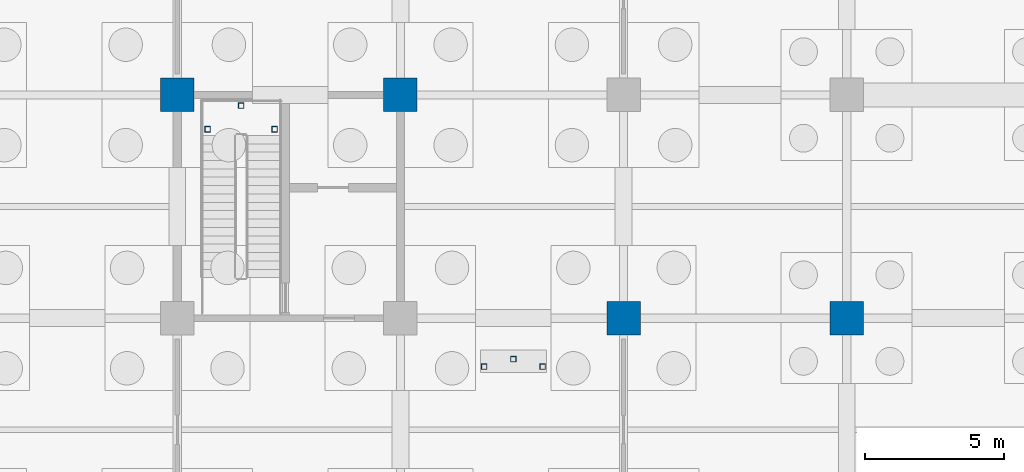
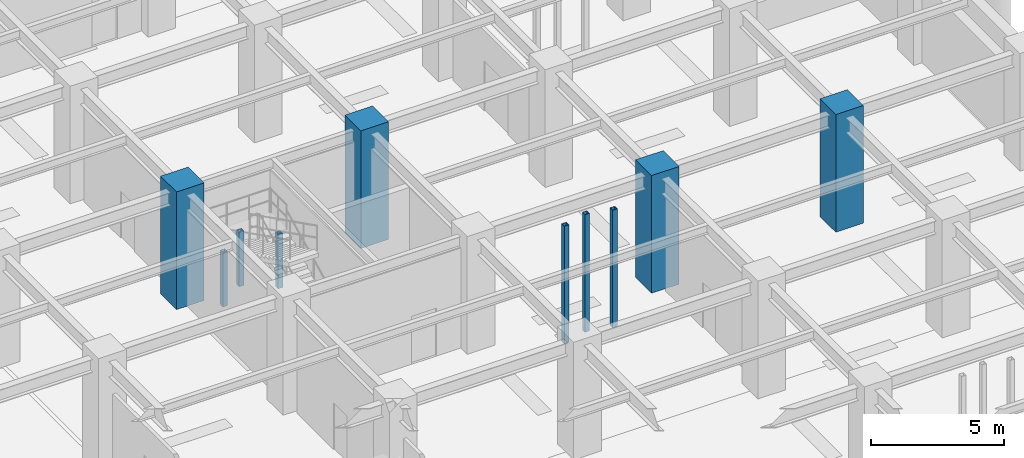
# One storey, part 34 of 97: 10 columns.
"""IFC4 building model written with IfcOpenShell, lengths in metres."""

from ifc_helpers import new_model, si_unit, direction, frame, origin, origin_2d, place, context, subcontext, project, spatial, rectangle, hollow_rectangle, extrude, material, material_profile, profile_set, type_object, element, save


model = new_model("IFC4")

# Units and contexts
model_context = context("Model", 3, precision=1e-05, world=origin(), true_north=direction((0.0, 1.0)))
body_context = subcontext(model_context, "Body", "Model", "MODEL_VIEW")
ifc_project = project(units=[si_unit("LENGTHUNIT", "METRE"), si_unit("AREAUNIT", "SQUARE_METRE"), si_unit("VOLUMEUNIT", "CUBIC_METRE"), si_unit("PLANEANGLEUNIT", "RADIAN"), si_unit("MASSUNIT", "GRAM", prefix="KILO")], contexts=[model_context])

# Site, building, storey
site_placement = place(None, origin())
site = spatial("IfcSite", under=ifc_project, at=site_placement, CompositionType="ELEMENT")
building_placement = place(site_placement, origin())
building = spatial("IfcBuilding", under=site, at=building_placement, Name="Haebicheon Civic Stadium", CompositionType="ELEMENT")
storey_placement = place(building_placement, frame((0.0, 0.0, -5.39990234375)))
storey = spatial("IfcBuildingStorey", under=building, at=storey_placement, Name="B1", CompositionType="ELEMENT", Elevation=-5.39990234375)

# Columns
ifc_material_1 = material(Name="Concrete C40/50", Category="concrete")
ifc_material_profile_1 = material_profile(ifc_material_1, rectangle(XDim=1.199951171875, YDim=1.199951171875, at=origin_2d()), Name="RC-COL-1200x1200")
ifc_profile_set_1 = profile_set([ifc_material_profile_1], Name="Concrete C40/50")
column_type_1 = type_object("IfcColumnType", Name="COL-RC-1200", PredefinedType="COLUMN", material=ifc_profile_set_1)
for number, where, z_axis, x_axis, name in (
    (1, (32.0, 112.0, 0.0), (0.0, 0.0, 1.0), (1.0, 0.0, 0.0), "B1 column 5/Q"),
    (2, (40.0, 112.0, 0.0), (0.0, 0.0, 1.0), (1.0, 0.0, 0.0), "B1 column 6/Q"),
    (3, (48.0, 104.0, 0.0), (0.0, 0.0, 1.0), (1.0, 0.0, 0.0), "B1 column 7/P"),
    (4, (56.0, 104.0, 0.0), (0.0, 0.0, 1.0), (1.0, 0.0, 0.0), "B1 column 8/P"),
):
    element("IfcColumn", number, at=place(storey_placement, frame(where, z_axis=z_axis, x_axis=x_axis)), inside=storey, type_object=column_type_1, material=ifc_profile_set_1, Name=name, PredefinedType="COLUMN", context=body_context, shape_type="SweptSolid", body=[
        extrude(rectangle(XDim=1.199951171875, YDim=1.199951171875, at=origin_2d()), origin(), (0.0, 0.0, 1.0), 5.39990234375),
    ])
ifc_material_2 = material(Name="Steel SM355 (S355)", Category="steel")
ifc_material_profile_2 = material_profile(ifc_material_2, hollow_rectangle(XDim=0.199951171875, YDim=0.199951171875, WallThickness=0.009033203125, at=origin_2d()), Name="RHS-200x200x9.0")
ifc_profile_set_2 = profile_set([ifc_material_profile_2], Name="Steel SM355 (S355)")
column_type_2 = type_object("IfcColumnType", Name="COL-ST-RHS200", PredefinedType="COLUMN", material=ifc_profile_set_2)
for number, where, z_axis, x_axis, name in (
    (5, (33.090087890625, 110.77001953125, 0.0), (0.0, 0.0, 1.0), (1.0, 0.0, 0.0), "KC-04 B1 stair half-landing support post A"),
    (6, (35.489990234375, 110.77001953125, 0.0), (0.0, 0.0, 1.0), (1.0, 0.0, 0.0), "KC-04 B1 stair half-landing support post B"),
    (7, (34.2900390625, 111.6201171875, 0.0), (0.0, 0.0, 1.0), (1.0, 0.0, 0.0), "KC-04 B1 stair half-landing support post C"),
):
    element("IfcColumn", number, at=place(storey_placement, frame(where, z_axis=z_axis, x_axis=x_axis)), inside=storey, type_object=column_type_2, material=ifc_profile_set_2, Name=name, PredefinedType="COLUMN", context=body_context, shape_type="SweptSolid", body=[
        extrude(hollow_rectangle(XDim=0.199951171875, YDim=0.199951171875, WallThickness=0.009033203125, at=origin_2d()), origin(), (0.0, 0.0, 1.0), 2.5),
    ])
for number, where, z_axis, x_axis, name in (
    (8, (43.0, 102.260009765625, 0.0), (0.0, 0.0, 1.0), (1.0, 0.0, 0.0), "VM-05 B1 vomitory landing support post A"),
    (9, (45.10009765625, 102.260009765625, 0.0), (0.0, 0.0, 1.0), (1.0, 0.0, 0.0), "VM-05 B1 vomitory landing support post B"),
    (10, (44.050048828125, 102.530029296875, 0.0), (0.0, 0.0, 1.0), (1.0, 0.0, 0.0), "VM-05 B1 vomitory landing support post C"),
):
    element("IfcColumn", number, at=place(storey_placement, frame(where, z_axis=z_axis, x_axis=x_axis)), inside=storey, type_object=column_type_2, material=ifc_profile_set_2, Name=name, PredefinedType="COLUMN", context=body_context, shape_type="SweptSolid", body=[
        extrude(hollow_rectangle(XDim=0.199951171875, YDim=0.199951171875, WallThickness=0.009033203125, at=origin_2d()), origin(), (0.0, 0.0, 1.0), 5.39990234375),
    ])

save(model, "model.ifc")
